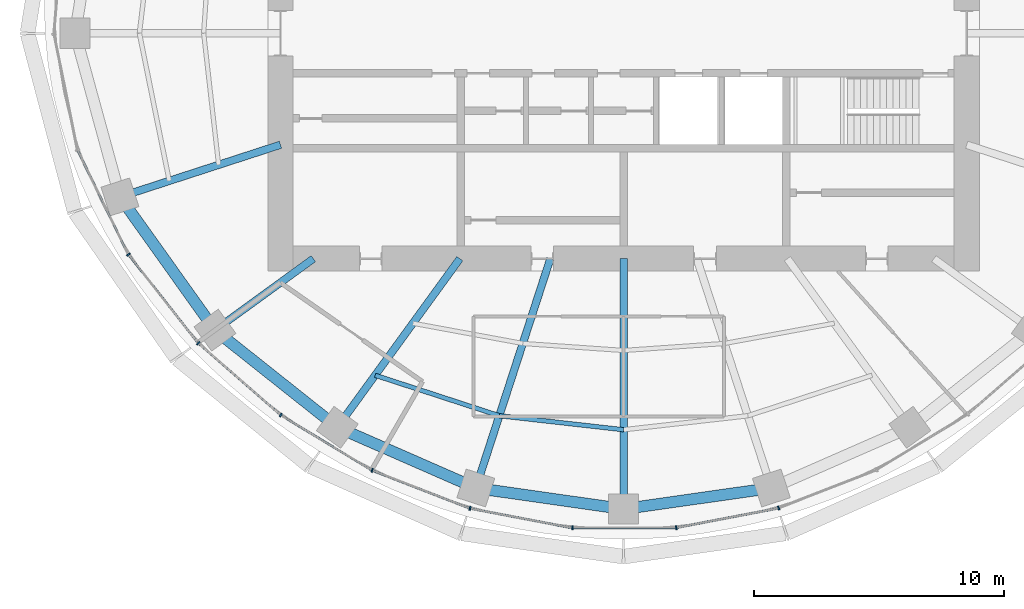
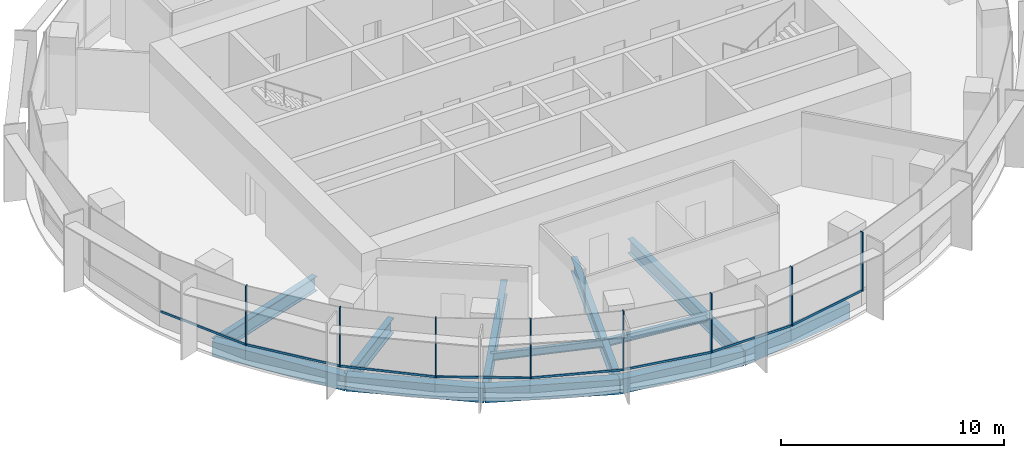
# One storey, part 2 of 13: 16 members, 12 beams, 2 elements without a shape of their own.
"""IFC4 building model written with IfcOpenShell, lengths in metres."""

from ifc_helpers import new_model, si_unit, direction, frame, origin, origin_2d, place, context, subcontext, project, spatial, rectangle, i_section, extrude, material, material_profile, profile_set, type_object, element, aggregate, save


model = new_model("IFC4")

# Units and contexts
model_context = context("Model", 3, precision=1e-05, world=origin(), true_north=direction((0.0, 1.0)))
body_context = subcontext(model_context, "Body", "Model", "MODEL_VIEW")
ifc_project = project(units=[si_unit("LENGTHUNIT", "METRE"), si_unit("AREAUNIT", "SQUARE_METRE"), si_unit("VOLUMEUNIT", "CUBIC_METRE"), si_unit("PLANEANGLEUNIT", "RADIAN"), si_unit("MASSUNIT", "GRAM", prefix="KILO")], contexts=[model_context])

# Site, building, storey
site_placement = place(None, origin())
site = spatial("IfcSite", under=ifc_project, at=site_placement, CompositionType="ELEMENT")
building_placement = place(site_placement, origin())
building = spatial("IfcBuilding", under=site, at=building_placement, Name="Marramba Exchange Tower", CompositionType="ELEMENT")
storey_placement = place(building_placement, frame((0.0, 0.0, 264.39990234375)))
storey = spatial("IfcBuildingStorey", under=building, at=storey_placement, Name="L64", CompositionType="ELEMENT", Elevation=264.39990234375)

# Curtain wall, members
ifc_material_1 = material(Name="Aluminium framing, bronze anodised", Category="aluminium")
curtain_wall_type = type_object("IfcCurtainWallType", Name="Executive floor ribbon curtain wall", PredefinedType="USERDEFINED", material=ifc_material_1)
curtain_wall_1_placement = place(storey_placement, origin())
curtain_wall_1 = element("IfcCurtainWall", 1, at=curtain_wall_1_placement, inside=storey, type_object=curtain_wall_type, Name="Curtain wall CW5 L64 F16-F20", ObjectType="RIBBON CURTAIN WALL", PredefinedType="USERDEFINED")
ifc_material_2 = material(Name="Aluminium mullion, bronze anodised", Category="aluminium")
ifc_material_profile_1 = material_profile(ifc_material_2, rectangle(XDim=0.159912109375, YDim=0.06005859375, at=origin_2d()), Name="CW5 mullion 60x160")
ifc_profile_set_1 = profile_set([ifc_material_profile_1], Name="Aluminium mullion, bronze anodised")
member_type_1 = type_object("IfcMemberType", Name="Executive floor ribbon curtain wall mullion", PredefinedType="MULLION", material=ifc_profile_set_1)
member_1_placement = place(storey_placement, frame((-19.771240234375, -8.83447265625, 0.800048828125), z_axis=(0.0, 0.0, 1.0), x_axis=(0.78594954734, 0.618290634763, 0.0)))
member_1 = element("IfcMember", 2, at=member_1_placement, type_object=member_type_1, Name="CW5 mullion 1", PredefinedType="MULLION", context=body_context, shape_type="SweptSolid", body=[
    extrude(rectangle(XDim=0.159912109375, YDim=0.06005859375, at=origin_2d()), origin(), (0.0, 0.0, 1.0), 3.239990234375),
])
member_2_placement = place(storey_placement, frame((-16.98046875, -12.373291015625, 0.800048828125), z_axis=(0.0, 0.0, 1.0), x_axis=(0.658305290779, 0.752751050569, 0.0)))
member_2 = element("IfcMember", 3, at=member_2_placement, type_object=member_type_1, Name="CW5 mullion 1", PredefinedType="MULLION", context=body_context, shape_type="SweptSolid", body=[
    extrude(rectangle(XDim=0.159912109375, YDim=0.06005859375, at=origin_2d()), origin(), (0.0, 0.0, 1.0), 3.239990234375),
])
member_3_placement = place(storey_placement, frame((-13.687744140625, -15.245849609375, 0.800048828125), z_axis=(0.0, 0.0, 1.0), x_axis=(0.519115121209, 0.854704329539, 0.0)))
member_3 = element("IfcMember", 4, at=member_3_placement, type_object=member_type_1, Name="CW5 mullion 1", PredefinedType="MULLION", context=body_context, shape_type="SweptSolid", body=[
    extrude(rectangle(XDim=0.159912109375, YDim=0.06005859375, at=origin_2d()), origin(), (0.0, 0.0, 1.0), 3.239990234375),
])

curtain_wall_2_placement = place(storey_placement, origin())
curtain_wall_2 = element("IfcCurtainWall", 5, at=curtain_wall_2_placement, inside=storey, type_object=curtain_wall_type, Name="Curtain wall CW5 L64 F21-F25", ObjectType="RIBBON CURTAIN WALL", PredefinedType="USERDEFINED")
member_4_placement = place(storey_placement, frame((-10.042724609375, -17.45361328125, 0.800048828125), z_axis=(0.0, 0.0, 1.0), x_axis=(0.363010271018, 0.931785137859, 0.0)))
member_4 = element("IfcMember", 6, at=member_4_placement, type_object=member_type_1, Name="CW5 mullion 1", PredefinedType="MULLION", context=body_context, shape_type="SweptSolid", body=[
    extrude(rectangle(XDim=0.159912109375, YDim=0.06005859375, at=origin_2d()), origin(), (0.0, 0.0, 1.0), 3.239990234375),
])
member_5_placement = place(storey_placement, frame((-6.1328125, -18.97119140625, 0.800048828125), z_axis=(0.0, 0.0, 1.0), x_axis=(0.187873198899, 0.982193291127, 0.0)))
member_5 = element("IfcMember", 7, at=member_5_placement, type_object=member_type_1, Name="CW5 mullion 1", PredefinedType="MULLION", context=body_context, shape_type="SweptSolid", body=[
    extrude(rectangle(XDim=0.159912109375, YDim=0.06005859375, at=origin_2d()), origin(), (0.0, 0.0, 1.0), 3.239990234375),
])
member_6_placement = place(storey_placement, frame((-2.04541015625, -19.7470703125, 0.800048828125), z_axis=(0.0, 0.0, 1.0), x_axis=(0.0, 1.0, 0.0)))
member_6 = element("IfcMember", 8, at=member_6_placement, type_object=member_type_1, Name="CW5 mullion 1", PredefinedType="MULLION", context=body_context, shape_type="SweptSolid", body=[
    extrude(rectangle(XDim=0.159912109375, YDim=0.06005859375, at=origin_2d()), origin(), (0.0, 0.0, 1.0), 3.239990234375),
])
member_7_placement = place(storey_placement, frame((2.10498046875, -19.741455078125, 0.800048828125), z_axis=(0.0, 0.0, 1.0), x_axis=(-0.187873198899, 0.982193291127, 0.0)))
member_7 = element("IfcMember", 9, at=member_7_placement, type_object=member_type_1, Name="CW5 mullion 1", PredefinedType="MULLION", context=body_context, shape_type="SweptSolid", body=[
    extrude(rectangle(XDim=0.159912109375, YDim=0.06005859375, at=origin_2d()), origin(), (0.0, 0.0, 1.0), 3.239990234375),
])
member_8_placement = place(storey_placement, frame((6.190185546875, -18.95458984375, 0.800048828125), z_axis=(0.0, 0.0, 1.0), x_axis=(-0.363010271018, 0.931785137859, 0.0)))
member_8 = element("IfcMember", 10, at=member_8_placement, type_object=member_type_1, Name="CW5 mullion 1", PredefinedType="MULLION", context=body_context, shape_type="SweptSolid", body=[
    extrude(rectangle(XDim=0.159912109375, YDim=0.06005859375, at=origin_2d()), origin(), (0.0, 0.0, 1.0), 3.239990234375),
])

# Member
ifc_material_3 = material(Name="Aluminium transom, bronze anodised", Category="aluminium")
ifc_material_profile_2 = material_profile(ifc_material_3, rectangle(XDim=0.06005859375, YDim=0.1201171875, at=origin_2d()), Name="CW5 transom 60x120")
ifc_profile_set_2 = profile_set([ifc_material_profile_2], Name="Aluminium transom, bronze anodised")
member_type_2 = type_object("IfcMemberType", Name="Executive floor ribbon curtain wall transom", PredefinedType="USERDEFINED", material=ifc_profile_set_2)
member_9_placement = place(storey_placement, frame((-21.788818359375, -4.69091796875, 0.830078125), z_axis=(0.436519399678, -0.899694844769, 0.0), x_axis=(0.899694844769, 0.436519399678, 0.0)))
member_9 = element("IfcMember", 11, at=member_9_placement, type_object=member_type_2, Name="CW5 sill transom", ObjectType="TRANSOM", PredefinedType="USERDEFINED", context=body_context, shape_type="SweptSolid", body=[
    extrude(rectangle(XDim=0.06005859375, YDim=0.1201171875, at=origin_2d()), origin(), (0.0, 0.0, 1.0), 4.579345703125),
])

member_10_placement = place(storey_placement, frame((-19.752685546875, -8.858154296875, 0.830078125), z_axis=(0.61829420435, -0.785946739206, 0.0), x_axis=(0.785946739206, 0.61829420435, 0.0)))
member_10 = element("IfcMember", 12, at=member_10_placement, type_object=member_type_2, Name="CW5 sill transom", ObjectType="TRANSOM", PredefinedType="USERDEFINED", context=body_context, shape_type="SweptSolid", body=[
    extrude(rectangle(XDim=0.06005859375, YDim=0.1201171875, at=origin_2d()), origin(), (0.0, 0.0, 1.0), 4.447265625),
])

member_11_placement = place(storey_placement, frame((-16.957763671875, -12.392822265625, 0.830078125), z_axis=(0.752741590247, -0.658316108198, 0.0), x_axis=(0.658316108198, 0.752741590247, 0.0)))
member_11 = element("IfcMember", 13, at=member_11_placement, type_object=member_type_2, Name="CW5 sill transom", ObjectType="TRANSOM", PredefinedType="USERDEFINED", context=body_context, shape_type="SweptSolid", body=[
    extrude(rectangle(XDim=0.06005859375, YDim=0.1201171875, at=origin_2d()), origin(), (0.0, 0.0, 1.0), 4.31005859375),
])

member_12_placement = place(storey_placement, frame((-13.662109375, -15.261474609375, 0.830078125), z_axis=(0.854701897511, -0.519119125434, 0.0), x_axis=(0.519119125434, 0.854701897511, 0.0)))
member_12 = element("IfcMember", 14, at=member_12_placement, type_object=member_type_2, Name="CW5 sill transom", ObjectType="TRANSOM", PredefinedType="USERDEFINED", context=body_context, shape_type="SweptSolid", body=[
    extrude(rectangle(XDim=0.06005859375, YDim=0.1201171875, at=origin_2d()), origin(), (0.0, 0.0, 1.0), 4.2021484375),
])

aggregate(curtain_wall_1, [member_9, member_1, member_10, member_2, member_11, member_3, member_12])

member_13_placement = place(storey_placement, frame((-10.0146484375, -17.464599609375, 0.830078125), z_axis=(0.931790621773, -0.362996194438, 0.0), x_axis=(0.362996194438, 0.931790621773, 0.0)))
member_13 = element("IfcMember", 15, at=member_13_placement, type_object=member_type_2, Name="CW5 sill transom", ObjectType="TRANSOM", PredefinedType="USERDEFINED", context=body_context, shape_type="SweptSolid", body=[
    extrude(rectangle(XDim=0.06005859375, YDim=0.1201171875, at=origin_2d()), origin(), (0.0, 0.0, 1.0), 4.13427734375),
])

member_14_placement = place(storey_placement, frame((-6.103271484375, -18.976806640625, 0.830078125), z_axis=(0.982201256187, -0.187831553114, 0.0), x_axis=(0.187831553114, 0.982201256187, 0.0)))
member_14 = element("IfcMember", 16, at=member_14_placement, type_object=member_type_2, Name="CW5 sill transom", ObjectType="TRANSOM", PredefinedType="USERDEFINED", context=body_context, shape_type="SweptSolid", body=[
    extrude(rectangle(XDim=0.06005859375, YDim=0.1201171875, at=origin_2d()), origin(), (0.0, 0.0, 1.0), 4.100830078125),
])

member_15_placement = place(storey_placement, frame((-2.015625, -19.7470703125, 0.830078125), z_axis=(1.0, 0.0, 0.0), x_axis=(0.0, 1.0, 0.0)))
member_15 = element("IfcMember", 17, at=member_15_placement, type_object=member_type_2, Name="CW5 sill transom", ObjectType="TRANSOM", PredefinedType="USERDEFINED", context=body_context, shape_type="SweptSolid", body=[
    extrude(rectangle(XDim=0.06005859375, YDim=0.1201171875, at=origin_2d()), origin(), (0.0, 0.0, 1.0), 4.091064453125),
])

member_16_placement = place(storey_placement, frame((2.134521484375, -19.73583984375, 0.830078125), z_axis=(0.982190271195, 0.187888986295, 0.0), x_axis=(-0.187888986295, 0.982190271195, 0.0)))
member_16 = element("IfcMember", 18, at=member_16_placement, type_object=member_type_2, Name="CW5 sill transom", ObjectType="TRANSOM", PredefinedType="USERDEFINED", context=body_context, shape_type="SweptSolid", body=[
    extrude(rectangle(XDim=0.06005859375, YDim=0.1201171875, at=origin_2d()), origin(), (0.0, 0.0, 1.0), 4.100830078125),
])

aggregate(curtain_wall_2, [member_4, member_13, member_5, member_14, member_6, member_15, member_7, member_16, member_8])

# Beams
ifc_material_4 = material(Name="Steel AS/NZS 3679.1 grade 300", Category="steel")
ifc_material_profile_3 = material_profile(ifc_material_4, i_section(OverallWidth=0.177978515625, OverallDepth=0.403076171875, WebThickness=0.007568359375, FlangeThickness=0.010986328125, FilletRadius=0.011474609375, at=origin_2d()), Name="410UB53.7")
ifc_profile_set_3 = profile_set([ifc_material_profile_3], Name="Steel AS/NZS 3679.1 grade 300")
beam_type_1 = type_object("IfcBeamType", Name="Floor joist 410UB53.7", PredefinedType="JOIST", material=ifc_profile_set_3)
beam_1_placement = place(storey_placement, frame((-9.9208984375, -13.655029296875, -0.361328125), z_axis=(0.950764024931, -0.309915744834, 0.0), x_axis=(0.309915744834, 0.950764024931, 0.0)))
element("IfcBeam", 19, at=beam_1_placement, inside=storey, type_object=beam_type_1, Name="Joist L64 bay 14 row 2", PredefinedType="JOIST", context=body_context, shape_type="SweptSolid", body=[
    extrude(i_section(OverallWidth=0.177978515625, OverallDepth=0.403076171875, WebThickness=0.007568359375, FlangeThickness=0.010986328125, FilletRadius=0.011474609375, at=origin_2d()), origin(), (0.0, 0.0, 1.0), 5.2158203125),
])
beam_2_placement = place(storey_placement, frame((-4.9619140625, -15.271484375, -0.361328125), z_axis=(0.993712018573, -0.111966174106, 0.0), x_axis=(0.111966174106, 0.993712018573, 0.0)))
element("IfcBeam", 20, at=beam_2_placement, inside=storey, type_object=beam_type_1, Name="Joist L64 bay 15 row 2", PredefinedType="JOIST", context=body_context, shape_type="SweptSolid", body=[
    extrude(i_section(OverallWidth=0.177978515625, OverallDepth=0.403076171875, WebThickness=0.007568359375, FlangeThickness=0.010986328125, FilletRadius=0.011474609375, at=origin_2d()), origin(), (0.0, 0.0, 1.0), 4.993408203125),
])
ifc_material_5 = material(Name="Steel AS/NZS 3679.2 grade 300", Category="steel")
ifc_material_profile_4 = material_profile(ifc_material_5, i_section(OverallWidth=0.300048828125, OverallDepth=0.800048828125, WebThickness=0.013916015625, FlangeThickness=0.031982421875, at=origin_2d()), Name="800WB192")
ifc_profile_set_4 = profile_set([ifc_material_profile_4], Name="Steel AS/NZS 3679.2 grade 300")
beam_type_2 = type_object("IfcBeamType", Name="Radial girder 800WB192", PredefinedType="BEAM", material=ifc_profile_set_4)
beam_3_placement = place(storey_placement, frame((-13.699951171875, -4.451416015625, -0.559814453125), z_axis=(-0.951057759669, -0.309013167637, 0.0), x_axis=(0.309013167637, -0.951057759669, 0.0)))
element("IfcBeam", 21, at=beam_3_placement, inside=storey, type_object=beam_type_2, Name="Radial girder L64 TC12", PredefinedType="BEAM", context=body_context, shape_type="SweptSolid", body=[
    extrude(i_section(OverallWidth=0.300048828125, OverallDepth=0.800048828125, WebThickness=0.013916015625, FlangeThickness=0.031982421875, at=origin_2d()), origin(), (0.0, 0.0, 1.0), 6.7392578125),
])
beam_4_placement = place(storey_placement, frame((-12.387451171875, -9.0, -0.559814453125), z_axis=(-0.809025189606, -0.58777397236, 0.0), x_axis=(0.58777397236, -0.809025189606, 0.0)))
element("IfcBeam", 22, at=beam_4_placement, inside=storey, type_object=beam_type_2, Name="Radial girder L64 TC13", PredefinedType="BEAM", context=body_context, shape_type="SweptSolid", body=[
    extrude(i_section(OverallWidth=0.300048828125, OverallDepth=0.800048828125, WebThickness=0.013916015625, FlangeThickness=0.031982421875, at=origin_2d()), origin(), (0.0, 0.0, 1.0), 4.855224609375),
])
beam_5_placement = place(storey_placement, frame((-6.538818359375, -9.0, -0.559814453125), z_axis=(-0.587787877172, -0.809015087282, 0.0), x_axis=(0.809015087282, -0.587787877172, 0.0)))
element("IfcBeam", 23, at=beam_5_placement, inside=storey, type_object=beam_type_2, Name="Radial girder L64 TC14", PredefinedType="BEAM", context=body_context, shape_type="SweptSolid", body=[
    extrude(i_section(OverallWidth=0.300048828125, OverallDepth=0.800048828125, WebThickness=0.013916015625, FlangeThickness=0.031982421875, at=origin_2d()), origin(), (0.0, 0.0, 1.0), 8.322021484375),
])
beam_6_placement = place(storey_placement, frame((-2.92431640625, -9.0, -0.559814453125), z_axis=(-0.309022428985, -0.951054750466, 0.0), x_axis=(0.951054750466, -0.309022428985, 0.0)))
element("IfcBeam", 24, at=beam_6_placement, inside=storey, type_object=beam_type_2, Name="Radial girder L64 TC15", PredefinedType="BEAM", context=body_context, shape_type="SweptSolid", body=[
    extrude(i_section(OverallWidth=0.300048828125, OverallDepth=0.800048828125, WebThickness=0.013916015625, FlangeThickness=0.031982421875, at=origin_2d()), origin(), (0.0, 0.0, 1.0), 9.628173828125),
])
beam_7_placement = place(storey_placement, frame((0.0, -9.0, -0.559814453125), z_axis=(0.0, -1.0, 0.0), x_axis=(1.0, 0.0, 0.0)))
element("IfcBeam", 25, at=beam_7_placement, inside=storey, type_object=beam_type_2, Name="Radial girder L64 TC16", PredefinedType="BEAM", context=body_context, shape_type="SweptSolid", body=[
    extrude(i_section(OverallWidth=0.300048828125, OverallDepth=0.800048828125, WebThickness=0.013916015625, FlangeThickness=0.031982421875, at=origin_2d()), origin(), (0.0, 0.0, 1.0), 9.99609375),
])
ifc_material_6 = material(Name="Concrete N50", Category="concrete")
ifc_material_profile_5 = material_profile(ifc_material_6, rectangle(XDim=0.449951171875, YDim=0.800048828125, at=origin_2d()), Name="RC 450x800")
ifc_profile_set_5 = profile_set([ifc_material_profile_5], Name="Concrete N50")
beam_type_3 = type_object("IfcBeamType", Name="Ring beam RC 450x800 N50", PredefinedType="SPANDREL", material=ifc_profile_set_5)
beam_8_placement = place(storey_placement, frame((-20.109375, -6.533935546875, -0.559814453125), z_axis=(0.580637181111, -0.814162430914, 0.0), x_axis=(0.814162430914, 0.580637181111, 0.0)))
element("IfcBeam", 26, at=beam_8_placement, inside=storey, type_object=beam_type_3, Name="Ring beam L64 TC12-TC13", PredefinedType="SPANDREL", context=body_context, shape_type="SweptSolid", body=[
    extrude(rectangle(XDim=0.449951171875, YDim=0.800048828125, at=origin_2d()), origin(), (0.0, 0.0, 1.0), 6.5341796875),
])
beam_9_placement = place(storey_placement, frame((-16.3154296875, -11.853759765625, -0.559814453125), z_axis=(0.783139438128, -0.621846138887, 0.0), x_axis=(0.621846138887, 0.783139438128, 0.0)))
element("IfcBeam", 27, at=beam_9_placement, inside=storey, type_object=beam_type_3, Name="Ring beam L64 TC13-TC14", PredefinedType="SPANDREL", context=body_context, shape_type="SweptSolid", body=[
    extrude(rectangle(XDim=0.449951171875, YDim=0.800048828125, at=origin_2d()), origin(), (0.0, 0.0, 1.0), 6.23779296875),
])
beam_10_placement = place(storey_placement, frame((-11.430419921875, -15.732666015625, -0.559814453125), z_axis=(0.915876892158, -0.4014592363, 0.0), x_axis=(0.4014592363, 0.915876892158, 0.0)))
element("IfcBeam", 28, at=beam_10_placement, inside=storey, type_object=beam_type_3, Name="Ring beam L64 TC14-TC15", PredefinedType="SPANDREL", context=body_context, shape_type="SweptSolid", body=[
    extrude(rectangle(XDim=0.449951171875, YDim=0.800048828125, at=origin_2d()), origin(), (0.0, 0.0, 1.0), 6.038818359375),
])
for number, where, z_axis, x_axis, name in (
    (29, (-5.899658203125, -18.156982421875, -0.559814453125), (0.990036163016, -0.140813337152, 0.0), (0.140813337152, 0.990036163016, 0.0), "Ring beam L64 TC15-TC16"),
    (30, (0.0, -18.99609375, -0.559814453125), (0.990036163016, 0.140813337152, 0.0), (-0.140813337152, 0.990036163016, 0.0), "Ring beam L64 TC16-TC17"),
):
    element("IfcBeam", number, at=place(storey_placement, frame(where, z_axis=z_axis, x_axis=x_axis)), inside=storey, type_object=beam_type_3, Name=name, PredefinedType="SPANDREL", context=body_context, shape_type="SweptSolid", body=[
        extrude(rectangle(XDim=0.449951171875, YDim=0.800048828125, at=origin_2d()), origin(), (0.0, 0.0, 1.0), 5.958984375),
    ])

save(model, "model.ifc")
